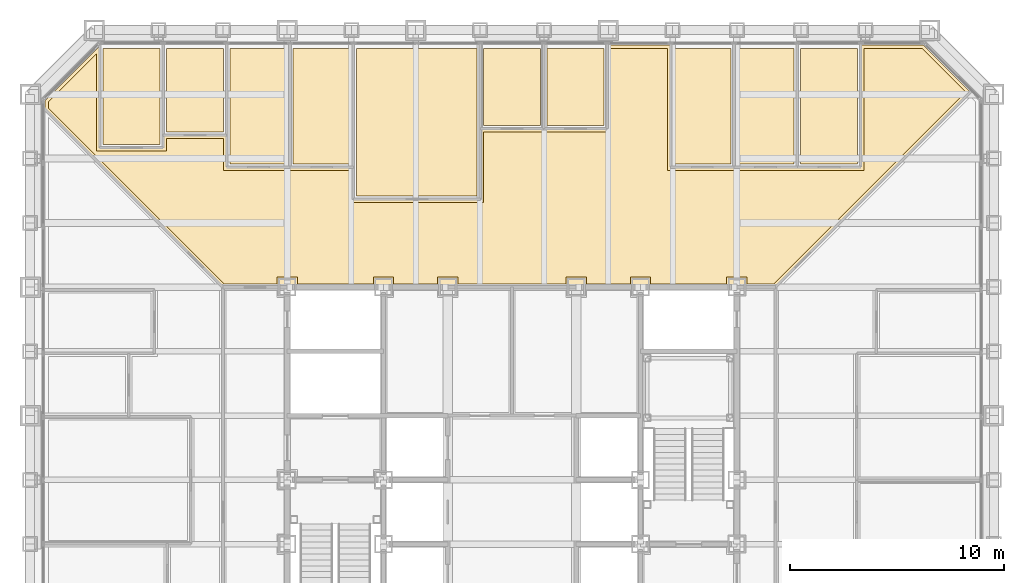
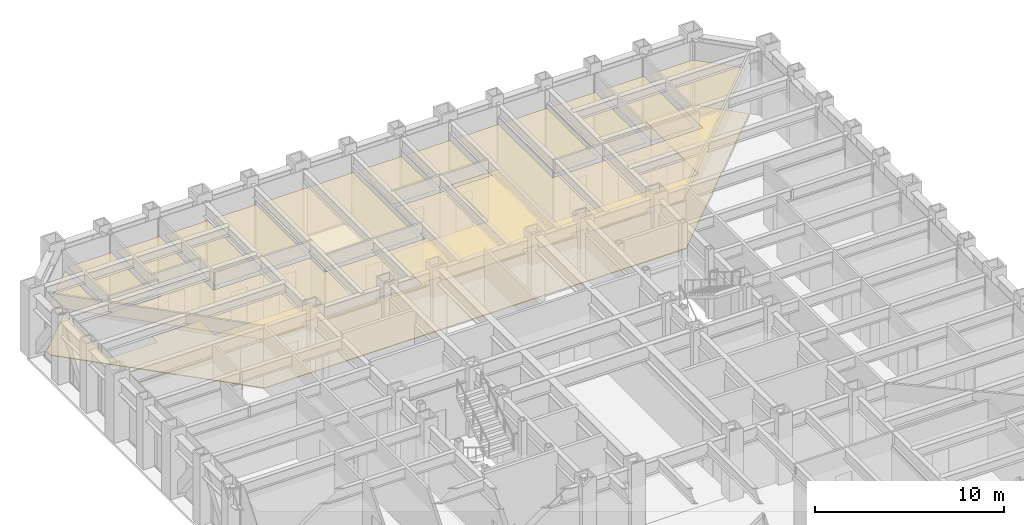
# One storey, part 17 of 17: 12 coverings.
"""IFC4 building model written with IfcOpenShell, lengths in metres."""

from ifc_helpers import new_model, si_unit, direction, frame, origin, place, context, subcontext, project, spatial, polyline, outline, extrude, material, layer, layer_set, type_object, element, save


model = new_model("IFC4")

# Units and contexts
model_context = context("Model", 3, precision=1e-05, world=origin(), true_north=direction((0.0, 1.0)))
body_context = subcontext(model_context, "Body", "Model", "MODEL_VIEW")
ifc_project = project(units=[si_unit("LENGTHUNIT", "METRE"), si_unit("AREAUNIT", "SQUARE_METRE"), si_unit("VOLUMEUNIT", "CUBIC_METRE"), si_unit("PLANEANGLEUNIT", "RADIAN"), si_unit("MASSUNIT", "GRAM", prefix="KILO")], contexts=[model_context])

# Site, building, storey
site_placement = place(None, origin())
site = spatial("IfcSite", under=ifc_project, at=site_placement, CompositionType="ELEMENT")
building_placement = place(site_placement, origin())
building = spatial("IfcBuilding", under=site, at=building_placement, Name="Chuquiago Exchange Tower", CompositionType="ELEMENT")
storey_placement = place(building_placement, frame((0.0, 0.0, 46.800048828125)))
storey = spatial("IfcBuildingStorey", under=building, at=storey_placement, Name="L09", CompositionType="ELEMENT", Elevation=46.800048828125)

# Coverings
ifc_material_1 = material(Name="Mineral fibre tile, 600 x 600, on pale metal grid", Category="mineral fibre")
ifc_layer_1 = layer(ifc_material_1, 0.02001953125)
ifc_layer_set_1 = layer_set([ifc_layer_1], Name="CL1 suspended tile ceiling 20")
covering_type_1 = type_object("IfcCoveringType", Name="CL1 suspended tile ceiling 20", PredefinedType="CEILING", material=ifc_layer_set_1)
covering_1_placement = place(storey_placement, frame((0.0, 0.0, 3.0)))
element("IfcCovering", 1, at=covering_1_placement, inside=storey, type_object=covering_type_1, Name="Ceiling Comms room", PredefinedType="CEILING", context=body_context, shape_type="SweptSolid", body=[
    extrude(outline(polyline([(6.060302734375, 44.14990234375), (6.060302734375, 39.64990234375), (3.3984375, 39.64990234375), (3.3984375, 44.14990234375), (6.060302734375, 44.14990234375)])), origin(), (0.0, 0.0, 1.0), 0.02001953125),
])
covering_2_placement = place(storey_placement, frame((0.0, 0.0, 3.0)))
element("IfcCovering", 2, at=covering_2_placement, inside=storey, type_object=covering_type_1, Name="Ceiling Store", PredefinedType="CEILING", context=body_context, shape_type="SweptSolid", body=[
    extrude(outline(polyline([(9.022216796875, 40.25), (6.3603515625, 40.25), (6.3603515625, 44.14990234375), (9.022216796875, 44.14990234375), (9.022216796875, 40.25)])), origin(), (0.0, 0.0, 1.0), 0.02001953125),
])
covering_3_placement = place(storey_placement, frame((0.0, 0.0, 3.0)))
element("IfcCovering", 3, at=covering_3_placement, inside=storey, type_object=covering_type_1, Name="Ceiling Office", PredefinedType="CEILING", context=body_context, shape_type="SweptSolid", body=[
    extrude(outline(polyline([(11.98388671875, 38.75), (9.322021484375, 38.75), (9.322021484375, 44.14990234375), (11.98388671875, 44.14990234375), (11.98388671875, 38.75)])), origin(), (0.0, 0.0, 1.0), 0.02001953125),
])
covering_4_placement = place(storey_placement, frame((0.0, 0.0, 3.0)))
element("IfcCovering", 4, at=covering_4_placement, inside=storey, type_object=covering_type_1, Name="Ceiling Office", PredefinedType="CEILING", context=body_context, shape_type="SweptSolid", body=[
    extrude(outline(polyline([(14.945556640625, 38.75), (12.28369140625, 38.75), (12.28369140625, 44.14990234375), (14.945556640625, 44.14990234375), (14.945556640625, 38.75)])), origin(), (0.0, 0.0, 1.0), 0.02001953125),
])
covering_5_placement = place(storey_placement, frame((0.0, 0.0, 3.0)))
element("IfcCovering", 5, at=covering_5_placement, inside=storey, type_object=covering_type_1, Name="Ceiling Research office", PredefinedType="CEILING", context=body_context, shape_type="SweptSolid", body=[
    extrude(outline(polyline([(20.869140625, 37.25), (15.24560546875, 37.25), (15.24560546875, 44.14990234375), (20.869140625, 44.14990234375), (20.869140625, 37.25)])), origin(), (0.0, 0.0, 1.0), 0.02001953125),
])
covering_6_placement = place(storey_placement, frame((0.0, 0.0, 3.0)))
element("IfcCovering", 6, at=covering_6_placement, inside=storey, type_object=covering_type_1, Name="Ceiling Focus room", PredefinedType="CEILING", context=body_context, shape_type="SweptSolid", body=[
    extrude(outline(polyline([(23.830810546875, 40.550048828125), (21.169189453125, 40.550048828125), (21.169189453125, 44.14990234375), (23.830810546875, 44.14990234375), (23.830810546875, 40.550048828125)])), origin(), (0.0, 0.0, 1.0), 0.02001953125),
])
covering_7_placement = place(storey_placement, frame((0.0, 0.0, 3.0)))
element("IfcCovering", 7, at=covering_7_placement, inside=storey, type_object=covering_type_1, Name="Ceiling Focus room", PredefinedType="CEILING", context=body_context, shape_type="SweptSolid", body=[
    extrude(outline(polyline([(26.79248046875, 40.550048828125), (24.130859375, 40.550048828125), (24.130859375, 44.14990234375), (26.79248046875, 44.14990234375), (26.79248046875, 40.550048828125)])), origin(), (0.0, 0.0, 1.0), 0.02001953125),
])
covering_8_placement = place(storey_placement, frame((0.0, 0.0, 3.0)))
element("IfcCovering", 8, at=covering_8_placement, inside=storey, type_object=covering_type_1, Name="Ceiling Compliance office", PredefinedType="CEILING", context=body_context, shape_type="SweptSolid", body=[
    extrude(outline(polyline([(32.71630859375, 38.75), (30.054443359375, 38.75), (30.054443359375, 44.14990234375), (32.71630859375, 44.14990234375), (32.71630859375, 38.75)])), origin(), (0.0, 0.0, 1.0), 0.02001953125),
])
covering_9_placement = place(storey_placement, frame((0.0, 0.0, 3.0)))
element("IfcCovering", 9, at=covering_9_placement, inside=storey, type_object=covering_type_1, Name="Ceiling Compliance office", PredefinedType="CEILING", context=body_context, shape_type="SweptSolid", body=[
    extrude(outline(polyline([(35.677978515625, 38.75), (33.01611328125, 38.75), (33.01611328125, 44.14990234375), (35.677978515625, 44.14990234375), (35.677978515625, 38.75)])), origin(), (0.0, 0.0, 1.0), 0.02001953125),
])
covering_10_placement = place(storey_placement, frame((0.0, 0.0, 3.0)))
element("IfcCovering", 10, at=covering_10_placement, inside=storey, type_object=covering_type_1, Name="Ceiling Office", PredefinedType="CEILING", context=body_context, shape_type="SweptSolid", body=[
    extrude(outline(polyline([(38.6396484375, 38.75), (35.977783203125, 38.75), (35.977783203125, 44.14990234375), (38.6396484375, 44.14990234375), (38.6396484375, 38.75)])), origin(), (0.0, 0.0, 1.0), 0.02001953125),
])
covering_11_placement = place(storey_placement, frame((0.0, 0.0, 3.0)))
element("IfcCovering", 11, at=covering_11_placement, inside=storey, type_object=covering_type_1, Name="Ceiling Trading floor north", PredefinedType="CEILING", context=body_context, shape_type="SweptSolid", body=[
    extrude(outline(polyline([(3.098388671875, 43.896484375), (3.098388671875, 39.35009765625), (6.3603515625, 39.35009765625), (6.3603515625, 39.949951171875), (9.022216796875, 39.949951171875), (9.022216796875, 38.449951171875), (14.945556640625, 38.449951171875), (14.945556640625, 36.949951171875), (21.169189453125, 36.949951171875), (21.169189453125, 40.25), (27.092529296875, 40.25), (27.092529296875, 44.14990234375), (29.75439453125, 44.14990234375), (29.75439453125, 38.449951171875), (38.939697265625, 38.449951171875), (38.939697265625, 44.14990234375), (41.64794921875, 44.14990234375), (43.692626953125, 42.10546875), (34.7373046875, 33.14990234375), (33.47509765625, 33.14990234375), (33.47509765625, 33.47509765625), (32.52490234375, 33.47509765625), (32.52490234375, 33.14990234375), (28.97509765625, 33.14990234375), (28.97509765625, 33.47509765625), (28.02490234375, 33.47509765625), (28.02490234375, 33.14990234375), (25.97509765625, 33.14990234375), (25.97509765625, 33.47509765625), (25.02490234375, 33.47509765625), (25.02490234375, 33.14990234375), (19.97509765625, 33.14990234375), (19.97509765625, 33.47509765625), (19.02490234375, 33.47509765625), (19.02490234375, 33.14990234375), (16.97509765625, 33.14990234375), (16.97509765625, 33.47509765625), (16.02490234375, 33.47509765625), (16.02490234375, 33.14990234375), (12.47509765625, 33.14990234375), (12.47509765625, 33.47509765625), (11.52490234375, 33.47509765625), (11.52490234375, 33.14990234375), (9.0625, 33.14990234375), (0.85009765625, 41.36279296875), (0.85009765625, 41.64794921875), (3.098388671875, 43.896484375)])), origin(), (0.0, 0.0, 1.0), 0.02001953125),
])
ifc_material_2 = material(Name="Steel raised floor panel", Category="steel")
ifc_layer_2 = layer(ifc_material_2, 0.0400390625)
ifc_layer_set_2 = layer_set([ifc_layer_2], Name="RF1 raised access floor 40")
covering_type_2 = type_object("IfcCoveringType", Name="RF1 raised access floor 40", PredefinedType="FLOORING", material=ifc_layer_set_2)
covering_12_placement = place(storey_placement, frame((0.0, 0.0, -0.0400390625)))
element("IfcCovering", 12, at=covering_12_placement, inside=storey, type_object=covering_type_2, Name="Raised access floor Trading floor north", PredefinedType="FLOORING", context=body_context, shape_type="SweptSolid", body=[
    extrude(outline(polyline([(0.699951171875, 41.710205078125), (3.289794921875, 44.300048828125), (3.24853515625, 44.258544921875), (3.24853515625, 39.5), (6.210205078125, 39.5), (6.210205078125, 40.10009765625), (9.172119140625, 40.10009765625), (9.172119140625, 38.60009765625), (15.095703125, 38.60009765625), (15.095703125, 37.10009765625), (21.01904296875, 37.10009765625), (21.01904296875, 40.39990234375), (26.942626953125, 40.39990234375), (26.942626953125, 44.300048828125), (29.904296875, 44.300048828125), (29.904296875, 38.60009765625), (38.789794921875, 38.60009765625), (38.789794921875, 44.300048828125), (41.710205078125, 44.300048828125), (43.90478515625, 42.10546875), (34.799560546875, 33.0), (9.00048828125, 33.0), (0.699951171875, 41.30078125), (0.699951171875, 41.710205078125)])), origin(), (0.0, 0.0, 1.0), 0.0400390625),
])

save(model, "model.ifc")
